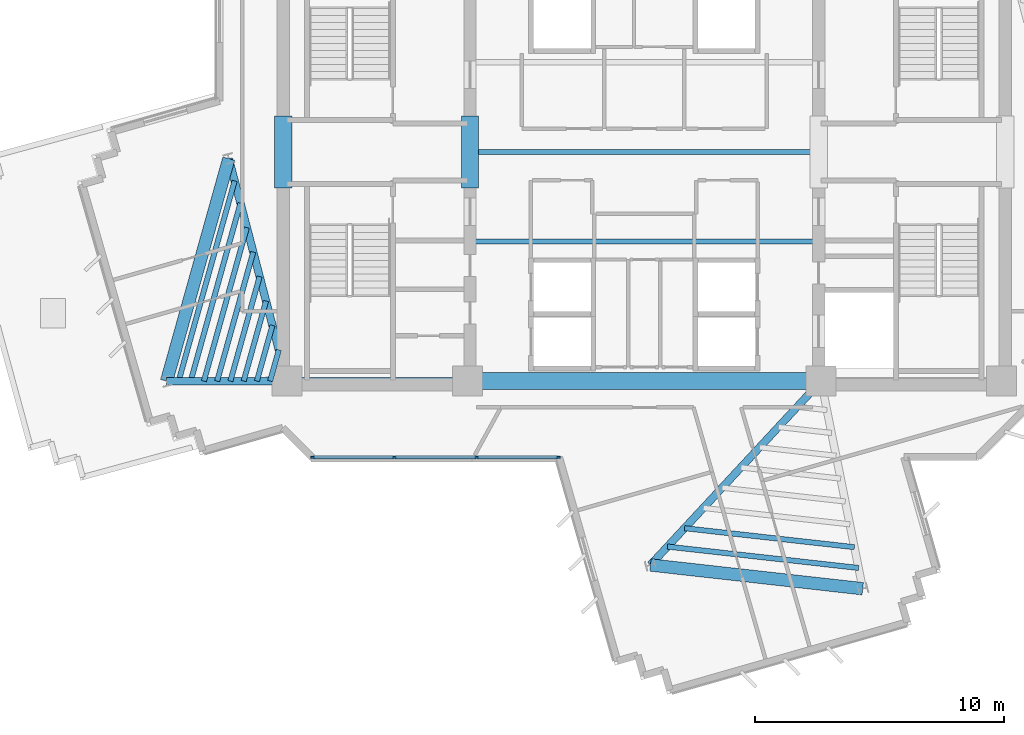
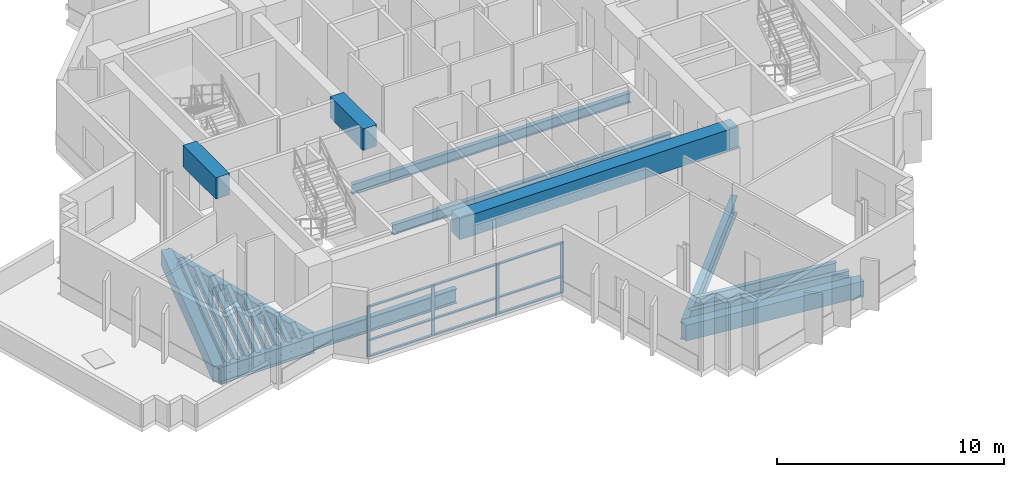
# One storey, part 2 of 14: 21 beams, 13 members, 1 element without a shape of its own.
"""IFC4 building model written with IfcOpenShell, lengths in metres."""

from ifc_helpers import new_model, si_unit, direction, frame, origin, origin_2d, place, context, subcontext, project, spatial, rectangle, i_section, extrude, source, transform, mapped, material, layer, layer_set, material_profile, profile_set, type_object, element, aggregate, save


model = new_model("IFC4")

# Units and contexts
model_context = context("Model", 3, precision=1e-05, world=origin(), true_north=direction((0.0, 1.0)))
body_context = subcontext(model_context, "Body", "Model", "MODEL_VIEW")
ifc_project = project(units=[si_unit("LENGTHUNIT", "METRE"), si_unit("AREAUNIT", "SQUARE_METRE"), si_unit("VOLUMEUNIT", "CUBIC_METRE"), si_unit("PLANEANGLEUNIT", "RADIAN"), si_unit("MASSUNIT", "GRAM", prefix="KILO")], contexts=[model_context])

# Site, building, storey
site_placement = place(None, origin())
site = spatial("IfcSite", under=ifc_project, at=site_placement, CompositionType="ELEMENT")
building_placement = place(site_placement, origin())
building = spatial("IfcBuilding", under=site, at=building_placement, Name="Zahravan Cultural Tower", CompositionType="ELEMENT")
storey_placement = place(building_placement, frame((0.0, 0.0, 201.89990234375)))
storey = spatial("IfcBuildingStorey", under=building, at=storey_placement, Name="L47", CompositionType="ELEMENT", Elevation=201.89990234375)

# Beams
ifc_material_1 = material(Name="Concrete C50/60", Category="concrete")
ifc_material_profile_1 = material_profile(ifc_material_1, rectangle(XDim=0.699951171875, YDim=1.14990234375, at=origin_2d()), Name="RC700X1150")
ifc_profile_set_1 = profile_set([ifc_material_profile_1], Name="Concrete C50/60")
beam_type_1 = type_object("IfcBeamType", Name="BM-LN-RC700X1150", PredefinedType="LINTEL", material=ifc_profile_set_1)
shared_shape_1 = source(origin(), body_context, "Body", "SweptSolid", [
    extrude(rectangle(XDim=0.699951171875, YDim=1.14990234375, at=origin_2d()), origin(), (0.0, 0.0, 1.0), 14.2001953125),
])
beam_1_placement = place(storey_placement, frame((28.89990234375, 17.800048828125, 3.045166015625), z_axis=(1.0, 0.0, 0.0), x_axis=(0.0, 1.0, 0.0)))
element("IfcBeam", 1, at=beam_1_placement, inside=storey, type_object=beam_type_1, Name="L47 Beam LN-L47-S", PredefinedType="LINTEL", context=body_context, shape_type="MappedRepresentation", body=[
    mapped(shared_shape_1, transform((0.0, 0.0, 0.0), x_axis=(1.0, 0.0, 0.0), y_axis=(0.0, 1.0, 0.0), z_axis=(0.0, 0.0, 1.0), scale=1.0)),
])
shared_shape_2 = source(origin(), body_context, "Body", "SweptSolid", [
    extrude(rectangle(XDim=0.699951171875, YDim=1.14990234375, at=origin_2d()), origin(), (0.0, 0.0, 1.0), 2.89990234375),
])
for number, where, z_axis, x_axis, name in (
    (2, (21.5, 25.550048828125, 3.045166015625), (0.0, 1.0, 0.0), (-1.0, 0.0, 0.0), "L47 Beam LN-L47-PWW"),
    (3, (29.0, 25.550048828125, 3.045166015625), (0.0, 1.0, 0.0), (-1.0, 0.0, 0.0), "L47 Beam LN-L47-PWE"),
):
    element("IfcBeam", number, at=place(storey_placement, frame(where, z_axis=z_axis, x_axis=x_axis)), inside=storey, type_object=beam_type_1, Name=name, PredefinedType="LINTEL", context=body_context, shape_type="MappedRepresentation", body=[
        mapped(shared_shape_2, transform((0.0, 0.0, 0.0), x_axis=(1.0, 0.0, 0.0), y_axis=(0.0, 1.0, 0.0), z_axis=(0.0, 0.0, 1.0), scale=1.0)),
    ])
ifc_material_2 = material(Name="Steel ASTM A992 Grade 50", Category="steel")
ifc_material_profile_2 = material_profile(ifc_material_2, i_section(OverallWidth=0.26611328125, OverallDepth=0.780029296875, WebThickness=0.0166015625, FlangeThickness=0.030029296875, FilletRadius=0.01904296875, at=origin_2d()), Name="W30X148")
ifc_profile_set_2 = profile_set([ifc_material_profile_2], Name="Steel ASTM A992 Grade 50")
beam_type_2 = type_object("IfcBeamType", Name="BM-G-W30X148", PredefinedType="BEAM", material=ifc_profile_set_2)
shared_shape_3 = source(origin(), body_context, "Body", "SweptSolid", [
    extrude(i_section(OverallWidth=0.26611328125, OverallDepth=0.780029296875, WebThickness=0.0166015625, FlangeThickness=0.030029296875, FilletRadius=0.01904296875, at=origin_2d()), origin(), (0.0, 0.0, 1.0), 7.25),
])
beam_2_placement = place(storey_placement, frame((21.64990234375, 17.800048828125, -0.669921875), z_axis=(1.0, 0.0, 0.0), x_axis=(0.0, 1.0, 0.0)))
element("IfcBeam", 4, at=beam_2_placement, inside=storey, type_object=beam_type_2, Name="L47 Beam BG-L47-01", PredefinedType="BEAM", context=body_context, shape_type="MappedRepresentation", body=[
    mapped(shared_shape_3, transform((0.0, 0.0, 0.0), x_axis=(1.0, 0.0, 0.0), y_axis=(0.0, 1.0, 0.0), z_axis=(0.0, 0.0, 1.0), scale=1.0)),
])
ifc_material_profile_3 = material_profile(ifc_material_2, i_section(OverallWidth=0.304931640625, OverallDepth=0.9189453125, WebThickness=0.017333984375, FlangeThickness=0.02783203125, FilletRadius=0.02392578125, at=origin_2d()), Name="W36X170")
ifc_profile_set_3 = profile_set([ifc_material_profile_3], Name="Steel ASTM A992 Grade 50")
beam_type_3 = type_object("IfcBeamType", Name="BM-G-W36X170", PredefinedType="BEAM", material=ifc_profile_set_3)
shared_shape_4 = source(origin(), body_context, "Body", "SweptSolid", [
    extrude(i_section(OverallWidth=0.304931640625, OverallDepth=0.9189453125, WebThickness=0.017333984375, FlangeThickness=0.02783203125, FilletRadius=0.02392578125, at=origin_2d()), origin(), (0.0, 0.0, 1.0), 9.22900390625),
])
beam_3_placement = place(storey_placement, frame((21.64990234375, 17.800048828125, -0.739501953125), z_axis=(-0.252922608408, 0.967486513682, 0.0), x_axis=(-0.967486513682, -0.252922608408, 0.0)))
element("IfcBeam", 5, at=beam_3_placement, inside=storey, type_object=beam_type_3, Name="L47 Beam BG-L47-07", PredefinedType="BEAM", context=body_context, shape_type="MappedRepresentation", body=[
    mapped(shared_shape_4, transform((0.0, 0.0, 0.0), x_axis=(1.0, 0.0, 0.0), y_axis=(0.0, 1.0, 0.0), z_axis=(0.0, 0.0, 1.0), scale=1.0)),
])
shared_shape_5 = source(origin(), body_context, "Body", "SweptSolid", [
    extrude(i_section(OverallWidth=0.304931640625, OverallDepth=0.9189453125, WebThickness=0.017333984375, FlangeThickness=0.02783203125, FilletRadius=0.02392578125, at=origin_2d()), origin(), (0.0, 0.0, 1.0), 4.834716796875),
])
beam_4_placement = place(storey_placement, frame((21.64990234375, 17.800048828125, -0.739501953125), z_axis=(-0.99999920313, -0.001262433979, 0.0), x_axis=(0.001262433979, -0.99999920313, 0.0)))
element("IfcBeam", 6, at=beam_4_placement, inside=storey, type_object=beam_type_3, Name="L47 Beam BG-L47-08", PredefinedType="BEAM", context=body_context, shape_type="MappedRepresentation", body=[
    mapped(shared_shape_5, transform((0.0, 0.0, 0.0), x_axis=(1.0, 0.0, 0.0), y_axis=(0.0, 1.0, 0.0), z_axis=(0.0, 0.0, 1.0), scale=1.0)),
])
shared_shape_6 = source(origin(), body_context, "Body", "SweptSolid", [
    extrude(i_section(OverallWidth=0.304931640625, OverallDepth=0.9189453125, WebThickness=0.017333984375, FlangeThickness=0.02783203125, FilletRadius=0.02392578125, at=origin_2d()), origin(), (0.0, 0.0, 1.0), 10.077880859375),
])
beam_5_placement = place(storey_placement, frame((43.10009765625, 17.800048828125, -0.739501953125), z_axis=(-0.680170435587, -0.733054007938, 0.0), x_axis=(0.733054007938, -0.680170435587, 0.0)))
element("IfcBeam", 7, at=beam_5_placement, inside=storey, type_object=beam_type_3, Name="L47 Beam BG-L47-09", PredefinedType="BEAM", context=body_context, shape_type="MappedRepresentation", body=[
    mapped(shared_shape_6, transform((0.0, 0.0, 0.0), x_axis=(1.0, 0.0, 0.0), y_axis=(0.0, 1.0, 0.0), z_axis=(0.0, 0.0, 1.0), scale=1.0)),
])
ifc_material_profile_4 = material_profile(ifc_material_1, rectangle(XDim=0.5, YDim=0.85009765625, at=origin_2d()), Name="RC500X850")
ifc_profile_set_4 = profile_set([ifc_material_profile_4], Name="Concrete C50/60")
beam_type_4 = type_object("IfcBeamType", Name="BM-SP-RC500X850", PredefinedType="SPANDREL", material=ifc_profile_set_4)
shared_shape_7 = source(origin(), body_context, "Body", "SweptSolid", [
    extrude(rectangle(XDim=0.5, YDim=0.85009765625, at=origin_2d()), origin(), (0.0, 0.0, 1.0), 9.2783203125),
])
beam_6_placement = place(storey_placement, frame((19.315673828125, 26.72900390625, -0.704833984375), z_axis=(-0.269497187032, -0.963001176625, 0.0), x_axis=(0.963001176625, -0.269497187032, 0.0)))
element("IfcBeam", 8, at=beam_6_placement, inside=storey, type_object=beam_type_4, Name="L47 Beam SP-L47-15", PredefinedType="SPANDREL", context=body_context, shape_type="MappedRepresentation", body=[
    mapped(shared_shape_7, transform((0.0, 0.0, 0.0), x_axis=(1.0, 0.0, 0.0), y_axis=(0.0, 1.0, 0.0), z_axis=(0.0, 0.0, 1.0), scale=1.0)),
])
shared_shape_8 = source(origin(), body_context, "Body", "SweptSolid", [
    extrude(rectangle(XDim=0.5, YDim=0.85009765625, at=origin_2d()), origin(), (0.0, 0.0, 1.0), 8.579833984375),
])
beam_7_placement = place(storey_placement, frame((36.245361328125, 10.412353515625, -0.704833984375), z_axis=(0.9938040105, -0.11114669907, 0.0), x_axis=(0.11114669907, 0.9938040105, 0.0)))
element("IfcBeam", 9, at=beam_7_placement, inside=storey, type_object=beam_type_4, Name="L47 Beam SP-L47-16", PredefinedType="SPANDREL", context=body_context, shape_type="MappedRepresentation", body=[
    mapped(shared_shape_8, transform((0.0, 0.0, 0.0), x_axis=(1.0, 0.0, 0.0), y_axis=(0.0, 1.0, 0.0), z_axis=(0.0, 0.0, 1.0), scale=1.0)),
])
ifc_material_profile_5 = material_profile(ifc_material_2, i_section(OverallWidth=0.2099609375, OverallDepth=0.532958984375, WebThickness=0.01025390625, FlangeThickness=0.015625, FilletRadius=0.013916015625, at=origin_2d()), Name="W21X62")
ifc_profile_set_5 = profile_set([ifc_material_profile_5], Name="Steel ASTM A992 Grade 50")
beam_type_5 = type_object("IfcBeamType", Name="BM-J-W21X62", PredefinedType="JOIST", material=ifc_profile_set_5)
shared_shape_9 = source(origin(), body_context, "Body", "SweptSolid", [
    extrude(i_section(OverallWidth=0.2099609375, OverallDepth=0.532958984375, WebThickness=0.01025390625, FlangeThickness=0.015625, FilletRadius=0.013916015625, at=origin_2d()), origin(), (0.0, 0.0, 1.0), 14.2001953125),
])
for number, where, z_axis, x_axis, name in (
    (10, (28.89990234375, 23.39990234375, -0.54638671875), (1.0, 0.0, 0.0), (0.0, 1.0, 0.0), "L47 Beam BJ-L47-19"),
    (11, (28.89990234375, 27.0, -0.54638671875), (1.0, 0.0, 0.0), (0.0, 1.0, 0.0), "L47 Beam BJ-L47-20"),
):
    element("IfcBeam", number, at=place(storey_placement, frame(where, z_axis=z_axis, x_axis=x_axis)), inside=storey, type_object=beam_type_5, Name=name, PredefinedType="JOIST", context=body_context, shape_type="MappedRepresentation", body=[
        mapped(shared_shape_9, transform((0.0, 0.0, 0.0), x_axis=(1.0, 0.0, 0.0), y_axis=(0.0, 1.0, 0.0), z_axis=(0.0, 0.0, 1.0), scale=1.0)),
    ])
shared_shape_10 = source(origin(), body_context, "Body", "SweptSolid", [
    extrude(i_section(OverallWidth=0.2099609375, OverallDepth=0.532958984375, WebThickness=0.01025390625, FlangeThickness=0.015625, FilletRadius=0.013916015625, at=origin_2d()), origin(), (0.0, 0.0, 1.0), 1.299072265625),
])
beam_8_placement = place(storey_placement, frame((21.3232421875, 19.050048828125, -0.54638671875), z_axis=(-0.269504444708, -0.962999145525, 0.0), x_axis=(0.962999145525, -0.269504444708, 0.0)))
element("IfcBeam", 12, at=beam_8_placement, inside=storey, type_object=beam_type_5, Name="L47 Beam BJ-L47-22", PredefinedType="JOIST", context=body_context, shape_type="MappedRepresentation", body=[
    mapped(shared_shape_10, transform((0.0, 0.0, 0.0), x_axis=(1.0, 0.0, 0.0), y_axis=(0.0, 1.0, 0.0), z_axis=(0.0, 0.0, 1.0), scale=1.0)),
])
shared_shape_11 = source(origin(), body_context, "Body", "SweptSolid", [
    extrude(i_section(OverallWidth=0.2099609375, OverallDepth=0.532958984375, WebThickness=0.01025390625, FlangeThickness=0.015625, FilletRadius=0.013916015625, at=origin_2d()), origin(), (0.0, 0.0, 1.0), 2.3193359375),
])
beam_9_placement = place(storey_placement, frame((21.06640625, 20.0322265625, -0.54638671875), z_axis=(-0.269462038626, -0.963011012263, 0.0), x_axis=(0.963011012263, -0.269462038626, 0.0)))
element("IfcBeam", 13, at=beam_9_placement, inside=storey, type_object=beam_type_5, Name="L47 Beam BJ-L47-23", PredefinedType="JOIST", context=body_context, shape_type="MappedRepresentation", body=[
    mapped(shared_shape_11, transform((0.0, 0.0, 0.0), x_axis=(1.0, 0.0, 0.0), y_axis=(0.0, 1.0, 0.0), z_axis=(0.0, 0.0, 1.0), scale=1.0)),
])
shared_shape_12 = source(origin(), body_context, "Body", "SweptSolid", [
    extrude(i_section(OverallWidth=0.2099609375, OverallDepth=0.532958984375, WebThickness=0.01025390625, FlangeThickness=0.015625, FilletRadius=0.013916015625, at=origin_2d()), origin(), (0.0, 0.0, 1.0), 3.340087890625),
])
beam_10_placement = place(storey_placement, frame((20.809814453125, 21.014404296875, -0.54638671875), z_axis=(-0.269562146951, -0.962982995141, 0.0), x_axis=(0.962982995141, -0.269562146951, 0.0)))
element("IfcBeam", 14, at=beam_10_placement, inside=storey, type_object=beam_type_5, Name="L47 Beam BJ-L47-24", PredefinedType="JOIST", context=body_context, shape_type="MappedRepresentation", body=[
    mapped(shared_shape_12, transform((0.0, 0.0, 0.0), x_axis=(1.0, 0.0, 0.0), y_axis=(0.0, 1.0, 0.0), z_axis=(0.0, 0.0, 1.0), scale=1.0)),
])
shared_shape_13 = source(origin(), body_context, "Body", "SweptSolid", [
    extrude(i_section(OverallWidth=0.2099609375, OverallDepth=0.532958984375, WebThickness=0.01025390625, FlangeThickness=0.015625, FilletRadius=0.013916015625, at=origin_2d()), origin(), (0.0, 0.0, 1.0), 4.36083984375),
])
beam_11_placement = place(storey_placement, frame((20.552978515625, 21.99658203125, -0.54638671875), z_axis=(-0.269511557673, -0.962997154866, 0.0), x_axis=(0.962997154866, -0.269511557673, 0.0)))
element("IfcBeam", 15, at=beam_11_placement, inside=storey, type_object=beam_type_5, Name="L47 Beam BJ-L47-25", PredefinedType="JOIST", context=body_context, shape_type="MappedRepresentation", body=[
    mapped(shared_shape_13, transform((0.0, 0.0, 0.0), x_axis=(1.0, 0.0, 0.0), y_axis=(0.0, 1.0, 0.0), z_axis=(0.0, 0.0, 1.0), scale=1.0)),
])
shared_shape_14 = source(origin(), body_context, "Body", "SweptSolid", [
    extrude(i_section(OverallWidth=0.2099609375, OverallDepth=0.532958984375, WebThickness=0.01025390625, FlangeThickness=0.015625, FilletRadius=0.013916015625, at=origin_2d()), origin(), (0.0, 0.0, 1.0), 5.3818359375),
])
beam_12_placement = place(storey_placement, frame((20.296142578125, 22.97900390625, -0.54638671875), z_axis=(-0.269510454638, -0.962997463569, 0.0), x_axis=(0.962997463569, -0.269510454638, 0.0)))
element("IfcBeam", 16, at=beam_12_placement, inside=storey, type_object=beam_type_5, Name="L47 Beam BJ-L47-26", PredefinedType="JOIST", context=body_context, shape_type="MappedRepresentation", body=[
    mapped(shared_shape_14, transform((0.0, 0.0, 0.0), x_axis=(1.0, 0.0, 0.0), y_axis=(0.0, 1.0, 0.0), z_axis=(0.0, 0.0, 1.0), scale=1.0)),
])
shared_shape_15 = source(origin(), body_context, "Body", "SweptSolid", [
    extrude(i_section(OverallWidth=0.2099609375, OverallDepth=0.532958984375, WebThickness=0.01025390625, FlangeThickness=0.015625, FilletRadius=0.013916015625, at=origin_2d()), origin(), (0.0, 0.0, 1.0), 6.402099609375),
])
beam_13_placement = place(storey_placement, frame((20.039306640625, 23.961181640625, -0.54638671875), z_axis=(-0.269494133533, -0.963002031146, 0.0), x_axis=(0.963002031146, -0.269494133533, 0.0)))
element("IfcBeam", 17, at=beam_13_placement, inside=storey, type_object=beam_type_5, Name="L47 Beam BJ-L47-27", PredefinedType="JOIST", context=body_context, shape_type="MappedRepresentation", body=[
    mapped(shared_shape_15, transform((0.0, 0.0, 0.0), x_axis=(1.0, 0.0, 0.0), y_axis=(0.0, 1.0, 0.0), z_axis=(0.0, 0.0, 1.0), scale=1.0)),
])
shared_shape_16 = source(origin(), body_context, "Body", "SweptSolid", [
    extrude(i_section(OverallWidth=0.2099609375, OverallDepth=0.532958984375, WebThickness=0.01025390625, FlangeThickness=0.015625, FilletRadius=0.013916015625, at=origin_2d()), origin(), (0.0, 0.0, 1.0), 7.4228515625),
])
beam_14_placement = place(storey_placement, frame((19.78271484375, 24.943359375, -0.54638671875), z_axis=(-0.269504266128, -0.962999195503, 0.0), x_axis=(0.962999195503, -0.269504266128, 0.0)))
element("IfcBeam", 18, at=beam_14_placement, inside=storey, type_object=beam_type_5, Name="L47 Beam BJ-L47-28", PredefinedType="JOIST", context=body_context, shape_type="MappedRepresentation", body=[
    mapped(shared_shape_16, transform((0.0, 0.0, 0.0), x_axis=(1.0, 0.0, 0.0), y_axis=(0.0, 1.0, 0.0), z_axis=(0.0, 0.0, 1.0), scale=1.0)),
])
shared_shape_17 = source(origin(), body_context, "Body", "SweptSolid", [
    extrude(i_section(OverallWidth=0.2099609375, OverallDepth=0.532958984375, WebThickness=0.01025390625, FlangeThickness=0.015625, FilletRadius=0.013916015625, at=origin_2d()), origin(), (0.0, 0.0, 1.0), 8.350830078125),
])
beam_15_placement = place(storey_placement, frame((19.549072265625, 25.836181640625, -0.54638671875), z_axis=(-0.269496539555, -0.963001357822, 0.0), x_axis=(0.963001357822, -0.269496539555, 0.0)))
element("IfcBeam", 19, at=beam_15_placement, inside=storey, type_object=beam_type_5, Name="L47 Beam BJ-L47-29", PredefinedType="JOIST", context=body_context, shape_type="MappedRepresentation", body=[
    mapped(shared_shape_17, transform((0.0, 0.0, 0.0), x_axis=(1.0, 0.0, 0.0), y_axis=(0.0, 1.0, 0.0), z_axis=(0.0, 0.0, 1.0), scale=1.0)),
])
shared_shape_18 = source(origin(), body_context, "Body", "SweptSolid", [
    extrude(i_section(OverallWidth=0.2099609375, OverallDepth=0.532958984375, WebThickness=0.01025390625, FlangeThickness=0.015625, FilletRadius=0.013916015625, at=origin_2d()), origin(), (0.0, 0.0, 1.0), 6.86376953125),
])
beam_16_placement = place(storey_placement, frame((37.6162109375, 11.889892578125, -0.54638671875), z_axis=(0.993803224695, -0.111153725024, 0.0), x_axis=(0.111153725024, 0.993803224695, 0.0)))
element("IfcBeam", 20, at=beam_16_placement, inside=storey, type_object=beam_type_5, Name="L47 Beam BJ-L47-36", PredefinedType="JOIST", context=body_context, shape_type="MappedRepresentation", body=[
    mapped(shared_shape_18, transform((0.0, 0.0, 0.0), x_axis=(1.0, 0.0, 0.0), y_axis=(0.0, 1.0, 0.0), z_axis=(0.0, 0.0, 1.0), scale=1.0)),
])
shared_shape_19 = source(origin(), body_context, "Body", "SweptSolid", [
    extrude(i_section(OverallWidth=0.2099609375, OverallDepth=0.532958984375, WebThickness=0.01025390625, FlangeThickness=0.015625, FilletRadius=0.013916015625, at=origin_2d()), origin(), (0.0, 0.0, 1.0), 7.7216796875),
])
beam_17_placement = place(storey_placement, frame((36.930908203125, 11.151123046875, -0.54638671875), z_axis=(0.993805212115, -0.11113595446, 0.0), x_axis=(0.11113595446, 0.993805212115, 0.0)))
element("IfcBeam", 21, at=beam_17_placement, inside=storey, type_object=beam_type_5, Name="L47 Beam BJ-L47-37", PredefinedType="JOIST", context=body_context, shape_type="MappedRepresentation", body=[
    mapped(shared_shape_19, transform((0.0, 0.0, 0.0), x_axis=(1.0, 0.0, 0.0), y_axis=(0.0, 1.0, 0.0), z_axis=(0.0, 0.0, 1.0), scale=1.0)),
])

# Curtain wall, members
ifc_material_3 = material(Name="Anodised bronze-aluminium mullion", Category="aluminium")
ifc_layer = layer(ifc_material_3, 0.1650390625)
ifc_layer_set = layer_set([ifc_layer], Name="Anodised bronze-aluminium mullion")
curtain_wall_type = type_object("IfcCurtainWallType", Name="CW-SYS-4", PredefinedType="USERDEFINED", material=ifc_layer_set)
curtain_wall_placement = place(storey_placement, origin())
curtain_wall = element("IfcCurtainWall", 22, at=curtain_wall_placement, inside=storey, type_object=curtain_wall_type, Name="L47 Recessed Curtain Wall CW-4.1", ObjectType="RECESSED GLAZING", PredefinedType="USERDEFINED")
ifc_material_profile_6 = material_profile(ifc_material_3, rectangle(XDim=0.06494140625, YDim=0.1650390625, at=origin_2d()), Name="AL-M65X165")
ifc_profile_set_6 = profile_set([ifc_material_profile_6], Name="Anodised bronze-aluminium mullion")
member_type_1 = type_object("IfcMemberType", Name="CWM-CW-4", PredefinedType="MULLION", material=ifc_profile_set_6)
shared_shape_20 = source(origin(), body_context, "Body", "SweptSolid", [
    extrude(rectangle(XDim=0.06494140625, YDim=0.1650390625, at=origin_2d()), origin(), (0.0, 0.0, 1.0), 2.739990234375),
])
member_1_placement = place(storey_placement, frame((32.546875, 14.739990234375, 0.0), z_axis=(0.0, 0.0, 1.0), x_axis=(0.0, -1.0, 0.0)))
member_1 = element("IfcMember", 23, at=member_1_placement, type_object=member_type_1, Name="CW-4 mullion 1", PredefinedType="MULLION", context=body_context, shape_type="MappedRepresentation", body=[
    mapped(shared_shape_20, transform((0.0, 0.0, 0.0), x_axis=(1.0, 0.0, 0.0), y_axis=(0.0, 1.0, 0.0), z_axis=(0.0, 0.0, 1.0), scale=1.0)),
])
member_2_placement = place(storey_placement, frame((29.272216796875, 14.739990234375, 0.0), z_axis=(0.0, 0.0, 1.0), x_axis=(0.0, -1.0, 0.0)))
member_2 = element("IfcMember", 24, at=member_2_placement, type_object=member_type_1, Name="CW-4 mullion 2", PredefinedType="MULLION", context=body_context, shape_type="MappedRepresentation", body=[
    mapped(shared_shape_20, transform((0.0, 0.0, 0.0), x_axis=(1.0, 0.0, 0.0), y_axis=(0.0, 1.0, 0.0), z_axis=(0.0, 0.0, 1.0), scale=1.0)),
])
member_3_placement = place(storey_placement, frame((25.965087890625, 14.739990234375, 0.0), z_axis=(0.0, 0.0, 1.0), x_axis=(0.0, -1.0, 0.0)))
member_3 = element("IfcMember", 25, at=member_3_placement, type_object=member_type_1, Name="CW-4 mullion 3", PredefinedType="MULLION", context=body_context, shape_type="MappedRepresentation", body=[
    mapped(shared_shape_20, transform((0.0, 0.0, 0.0), x_axis=(1.0, 0.0, 0.0), y_axis=(0.0, 1.0, 0.0), z_axis=(0.0, 0.0, 1.0), scale=1.0)),
])
member_4_placement = place(storey_placement, frame((22.6904296875, 14.739990234375, 0.0), z_axis=(0.0, 0.0, 1.0), x_axis=(0.0, -1.0, 0.0)))
member_4 = element("IfcMember", 26, at=member_4_placement, type_object=member_type_1, Name="CW-4 mullion 4", PredefinedType="MULLION", context=body_context, shape_type="MappedRepresentation", body=[
    mapped(shared_shape_20, transform((0.0, 0.0, 0.0), x_axis=(1.0, 0.0, 0.0), y_axis=(0.0, 1.0, 0.0), z_axis=(0.0, 0.0, 1.0), scale=1.0)),
])
ifc_material_profile_7 = material_profile(ifc_material_3, rectangle(XDim=0.1298828125, YDim=0.06494140625, at=origin_2d()), Name="AL-T65X130")
ifc_profile_set_7 = profile_set([ifc_material_profile_7], Name="Anodised bronze-aluminium mullion")
member_type_2 = type_object("IfcMemberType", Name="CWT-CW-4", PredefinedType="USERDEFINED", material=ifc_profile_set_7)
shared_shape_21 = source(origin(), body_context, "Body", "SweptSolid", [
    extrude(rectangle(XDim=0.1298828125, YDim=0.06494140625, at=origin_2d()), origin(), (0.0, 0.0, 1.0), 3.209716796875),
])
member_5_placement = place(storey_placement, frame((32.514404296875, 14.739990234375, 0.03271484375), z_axis=(-1.0, 0.0, 0.0), x_axis=(0.0, -1.0, 0.0)))
member_5 = element("IfcMember", 27, at=member_5_placement, type_object=member_type_2, Name="CW-4 transom 1.1", ObjectType="TRANSOM", PredefinedType="USERDEFINED", context=body_context, shape_type="MappedRepresentation", body=[
    mapped(shared_shape_21, transform((0.0, 0.0, 0.0), x_axis=(1.0, 0.0, 0.0), y_axis=(0.0, 1.0, 0.0), z_axis=(0.0, 0.0, 1.0), scale=1.0)),
])
member_6_placement = place(storey_placement, frame((32.514404296875, 14.739990234375, 0.900146484375), z_axis=(-1.0, 0.0, 0.0), x_axis=(0.0, -1.0, 0.0)))
member_6 = element("IfcMember", 28, at=member_6_placement, type_object=member_type_2, Name="CW-4 transom 1.2", ObjectType="TRANSOM", PredefinedType="USERDEFINED", context=body_context, shape_type="MappedRepresentation", body=[
    mapped(shared_shape_21, transform((0.0, 0.0, 0.0), x_axis=(1.0, 0.0, 0.0), y_axis=(0.0, 1.0, 0.0), z_axis=(0.0, 0.0, 1.0), scale=1.0)),
])
member_7_placement = place(storey_placement, frame((32.514404296875, 14.739990234375, 2.70751953125), z_axis=(-1.0, 0.0, 0.0), x_axis=(0.0, -1.0, 0.0)))
member_7 = element("IfcMember", 29, at=member_7_placement, type_object=member_type_2, Name="CW-4 transom 1.3", ObjectType="TRANSOM", PredefinedType="USERDEFINED", context=body_context, shape_type="MappedRepresentation", body=[
    mapped(shared_shape_21, transform((0.0, 0.0, 0.0), x_axis=(1.0, 0.0, 0.0), y_axis=(0.0, 1.0, 0.0), z_axis=(0.0, 0.0, 1.0), scale=1.0)),
])
member_8_placement = place(storey_placement, frame((25.9326171875, 14.739990234375, 0.03271484375), z_axis=(-1.0, 0.0, 0.0), x_axis=(0.0, -1.0, 0.0)))
member_8 = element("IfcMember", 30, at=member_8_placement, type_object=member_type_2, Name="CW-4 transom 3.1", ObjectType="TRANSOM", PredefinedType="USERDEFINED", context=body_context, shape_type="MappedRepresentation", body=[
    mapped(shared_shape_21, transform((0.0, 0.0, 0.0), x_axis=(1.0, 0.0, 0.0), y_axis=(0.0, 1.0, 0.0), z_axis=(0.0, 0.0, 1.0), scale=1.0)),
])
member_9_placement = place(storey_placement, frame((25.9326171875, 14.739990234375, 0.900146484375), z_axis=(-1.0, 0.0, 0.0), x_axis=(0.0, -1.0, 0.0)))
member_9 = element("IfcMember", 31, at=member_9_placement, type_object=member_type_2, Name="CW-4 transom 3.2", ObjectType="TRANSOM", PredefinedType="USERDEFINED", context=body_context, shape_type="MappedRepresentation", body=[
    mapped(shared_shape_21, transform((0.0, 0.0, 0.0), x_axis=(1.0, 0.0, 0.0), y_axis=(0.0, 1.0, 0.0), z_axis=(0.0, 0.0, 1.0), scale=1.0)),
])
member_10_placement = place(storey_placement, frame((25.9326171875, 14.739990234375, 2.70751953125), z_axis=(-1.0, 0.0, 0.0), x_axis=(0.0, -1.0, 0.0)))
member_10 = element("IfcMember", 32, at=member_10_placement, type_object=member_type_2, Name="CW-4 transom 3.3", ObjectType="TRANSOM", PredefinedType="USERDEFINED", context=body_context, shape_type="MappedRepresentation", body=[
    mapped(shared_shape_21, transform((0.0, 0.0, 0.0), x_axis=(1.0, 0.0, 0.0), y_axis=(0.0, 1.0, 0.0), z_axis=(0.0, 0.0, 1.0), scale=1.0)),
])
shared_shape_22 = source(origin(), body_context, "Body", "SweptSolid", [
    extrude(rectangle(XDim=0.1298828125, YDim=0.06494140625, at=origin_2d()), origin(), (0.0, 0.0, 1.0), 3.2421875),
])
member_11_placement = place(storey_placement, frame((29.23974609375, 14.739990234375, 0.03271484375), z_axis=(-1.0, 0.0, 0.0), x_axis=(0.0, -1.0, 0.0)))
member_11 = element("IfcMember", 33, at=member_11_placement, type_object=member_type_2, Name="CW-4 transom 2.1", ObjectType="TRANSOM", PredefinedType="USERDEFINED", context=body_context, shape_type="MappedRepresentation", body=[
    mapped(shared_shape_22, transform((0.0, 0.0, 0.0), x_axis=(1.0, 0.0, 0.0), y_axis=(0.0, 1.0, 0.0), z_axis=(0.0, 0.0, 1.0), scale=1.0)),
])
member_12_placement = place(storey_placement, frame((29.23974609375, 14.739990234375, 0.900146484375), z_axis=(-1.0, 0.0, 0.0), x_axis=(0.0, -1.0, 0.0)))
member_12 = element("IfcMember", 34, at=member_12_placement, type_object=member_type_2, Name="CW-4 transom 2.2", ObjectType="TRANSOM", PredefinedType="USERDEFINED", context=body_context, shape_type="MappedRepresentation", body=[
    mapped(shared_shape_22, transform((0.0, 0.0, 0.0), x_axis=(1.0, 0.0, 0.0), y_axis=(0.0, 1.0, 0.0), z_axis=(0.0, 0.0, 1.0), scale=1.0)),
])
member_13_placement = place(storey_placement, frame((29.23974609375, 14.739990234375, 2.70751953125), z_axis=(-1.0, 0.0, 0.0), x_axis=(0.0, -1.0, 0.0)))
member_13 = element("IfcMember", 35, at=member_13_placement, type_object=member_type_2, Name="CW-4 transom 2.3", ObjectType="TRANSOM", PredefinedType="USERDEFINED", context=body_context, shape_type="MappedRepresentation", body=[
    mapped(shared_shape_22, transform((0.0, 0.0, 0.0), x_axis=(1.0, 0.0, 0.0), y_axis=(0.0, 1.0, 0.0), z_axis=(0.0, 0.0, 1.0), scale=1.0)),
])
aggregate(curtain_wall, [member_1, member_2, member_3, member_4, member_5, member_6, member_7, member_11, member_12, member_13, member_8, member_9, member_10])

save(model, "model.ifc")
